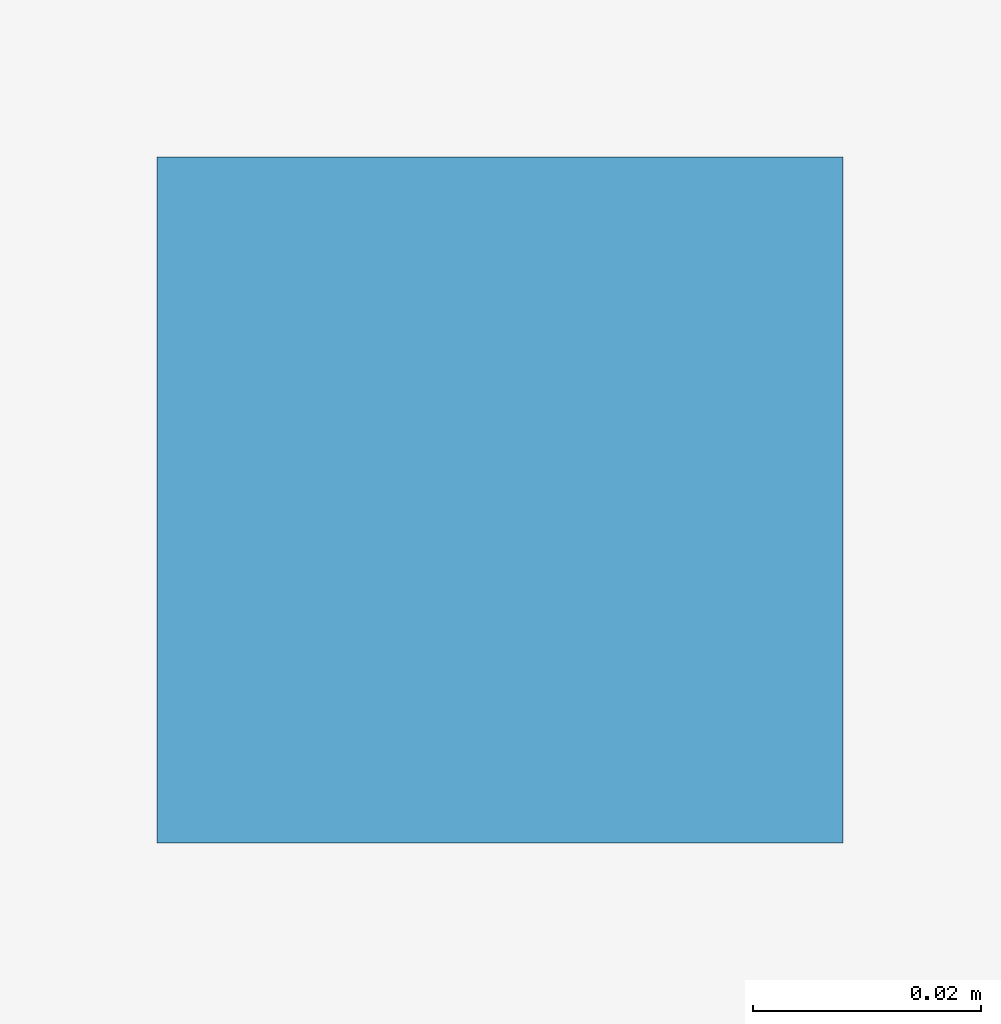
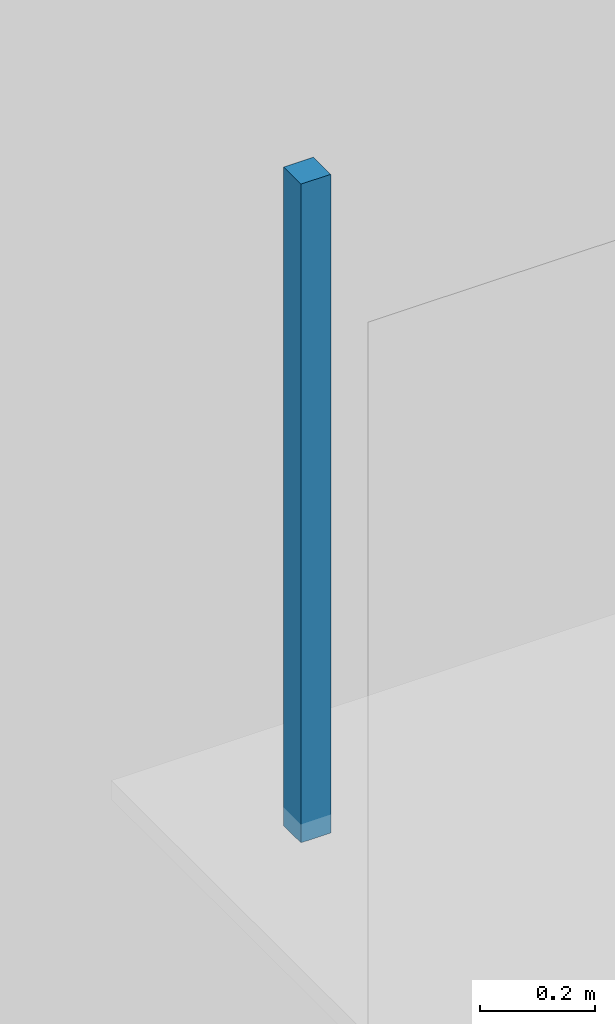
# One storey, part 48 of 67: 1 discrete accessory.
"""IFC4 building model written with IfcOpenShell, lengths in metres."""

from ifc_helpers import new_model, si_unit, direction, frame, origin, origin_2d, place, context, subcontext, project, spatial, rectangle, extrude, material, type_object, element, save


model = new_model("IFC4")

# Units and contexts
model_context = context("Model", 3, precision=1e-05, world=origin(), true_north=direction((0.0, 1.0)))
body_context = subcontext(model_context, "Body", "Model", "MODEL_VIEW")
ifc_project = project(units=[si_unit("LENGTHUNIT", "METRE"), si_unit("AREAUNIT", "SQUARE_METRE"), si_unit("VOLUMEUNIT", "CUBIC_METRE"), si_unit("PLANEANGLEUNIT", "RADIAN"), si_unit("MASSUNIT", "GRAM", prefix="KILO")], contexts=[model_context])

# Site, building, storey
site_placement = place(None, origin())
site = spatial("IfcSite", under=ifc_project, at=site_placement, CompositionType="ELEMENT")
building_placement = place(site_placement, origin())
building = spatial("IfcBuilding", under=site, at=building_placement, Name="Sundkrona Museum", CompositionType="ELEMENT")
storey_placement = place(building_placement, frame((0.0, 0.0, 21.800048828125)))
storey = spatial("IfcBuildingStorey", under=building, at=storey_placement, Name="L04", CompositionType="ELEMENT", Elevation=21.800048828125)

# Discrete accessory
ifc_material = material(Name="Stainless Steel EN 1.4404 Cleat", Category="steel")
discrete_accessory_type = type_object("IfcDiscreteAccessoryType", Name="BRK-FIN-01", PredefinedType="BRACKET", material=ifc_material)
discrete_accessory_placement = place(storey_placement, frame((122.25, 29.75, 2.550048828125), z_axis=(0.0, 0.0, 1.0), x_axis=(1.0, 0.0, 0.0)))
element("IfcDiscreteAccessory", 1, at=discrete_accessory_placement, inside=storey, type_object=discrete_accessory_type, Name="L04 Baltic Modernism Cabinet Ceiling Hanger 4", PredefinedType="BRACKET", context=body_context, shape_type="SweptSolid", body=[
    extrude(rectangle(XDim=0.06005859375, YDim=0.06005859375, at=origin_2d()), origin(), (0.0, 0.0, 1.0), 1.39990234375),
])

save(model, "model.ifc")
